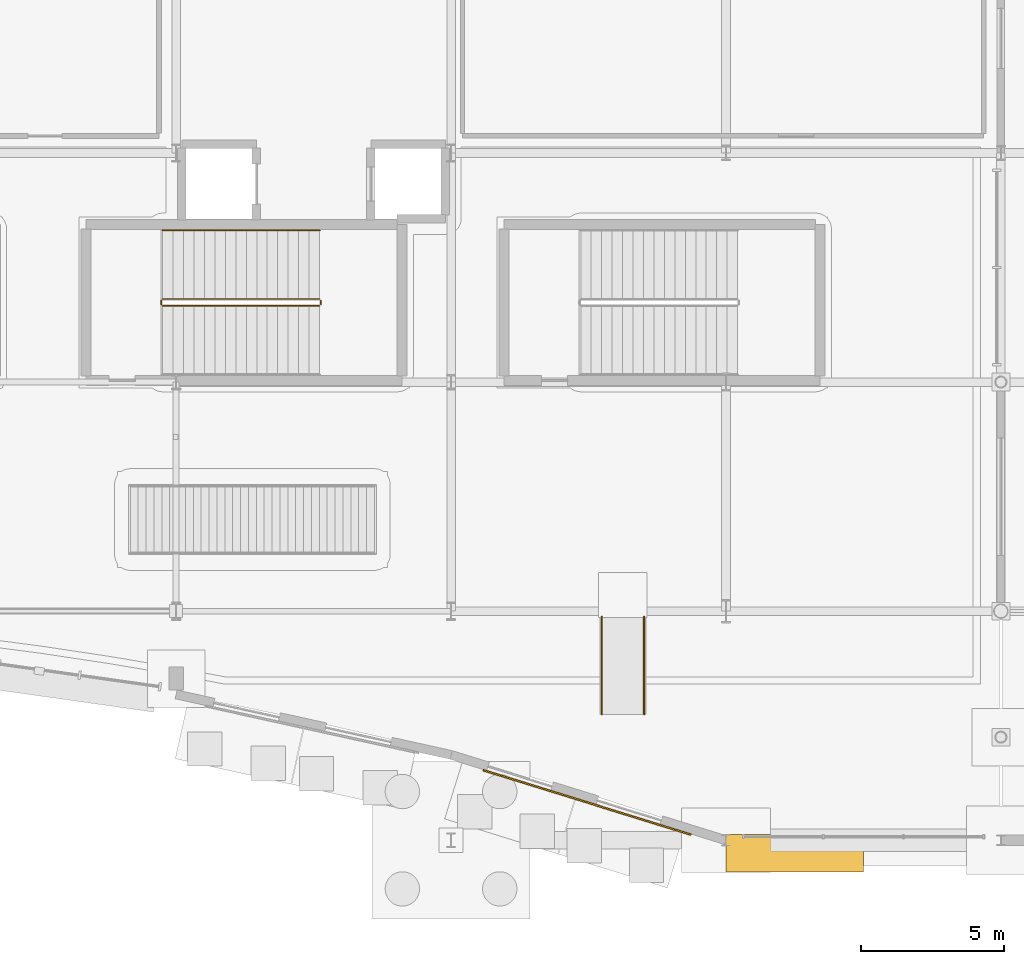
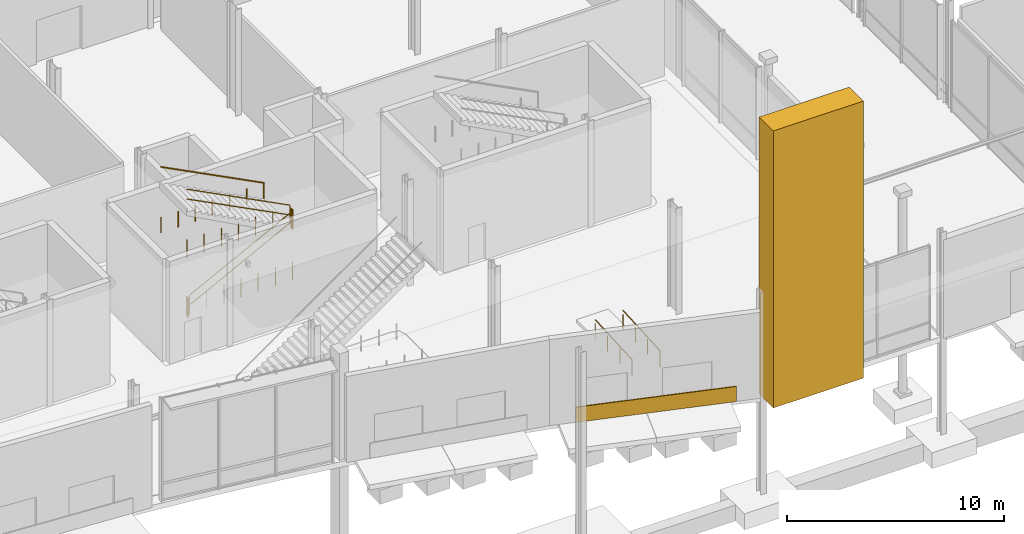
# One storey, part 109 of 124: 7 railings, 2 coverings.
"""IFC4 building model written with IfcOpenShell, lengths in metres."""

import ifcopenshell
import ifcopenshell.guid

model = None  # the IFC model being written
_history = None  # IfcOwnerHistory: only IFC2X3 demands one
_inside = {}  # id of a spatial element -> (the spatial element, [elements in it])
_under = {}  # id of a project, library or spatial element -> (it, [spatial elements below it])
_declared = {}  # id of a project -> (the project, [libraries it declares])
_typed = {}  # id of a type object -> (the type object, [elements of that type])
_made_of = {}  # id of a material, layer set ... -> (it, [elements and type objects made of it])


def new_model(schema):
    """Start an empty IFC model of exactly this schema.

    Asked for "IFC4X3", IfcOpenShell would pick the latest addendum, in which some entities
    have other attributes; the version numbers below select the first issue.
    IFC2X3 requires an IfcOwnerHistory on every rooted entity: one is made here for all.
    """
    global model, _history
    if schema == "IFC4X3":
        model = ifcopenshell.file(schema_version=(4, 3, 0, 0))
    else:
        model = ifcopenshell.file(schema=schema)
    _inside.clear()
    _under.clear()
    _declared.clear()
    _typed.clear()
    _made_of.clear()
    _history = None
    if model.schema == "IFC2X3":
        org = make("IfcOrganization", Name="unknown")
        user = make(
            "IfcPersonAndOrganization",
            ThePerson=make("IfcPerson", FamilyName="unknown"),
            TheOrganization=org,
        )
        app = make(
            "IfcApplication",
            ApplicationDeveloper=org,
            Version="unknown",
            ApplicationFullName="unknown",
            ApplicationIdentifier="unknown",
        )
        _history = make(
            "IfcOwnerHistory",
            OwningUser=user,
            OwningApplication=app,
            ChangeAction="ADDED",
            CreationDate=0,
        )
    return model


def make(cls, **values):
    """One entity of the class cls with the attributes given. An attribute that is None is left unset."""
    return model.create_entity(
        cls, **{name: value for name, value in values.items() if value is not None}
    )


def rooted(cls, **values):
    """An entity with a GlobalId (a new one), such as an element, a storey or a relation."""
    return make(cls, GlobalId=ifcopenshell.guid.new(), OwnerHistory=_history, **values)


def si_unit(unit_type, name, prefix=None):
    """IfcSIUnit, for example si_unit("LENGTHUNIT", "METRE", prefix="MILLI")."""
    return make("IfcSIUnit", UnitType=unit_type, Prefix=prefix, Name=name)


def assignment(units):
    """IfcUnitAssignment: the units of a project."""
    return None if units is None else make("IfcUnitAssignment", Units=units)


def point(xyz):
    """IfcCartesianPoint."""
    return None if xyz is None else make("IfcCartesianPoint", Coordinates=xyz)


def direction(xyz):
    """IfcDirection."""
    return None if xyz is None else make("IfcDirection", DirectionRatios=xyz)


def frame(location, z_axis=None, x_axis=None):
    """IfcAxis2Placement3D, a coordinate frame: its origin and axes. An axis left out is left unset."""
    return make(
        "IfcAxis2Placement3D",
        Location=point(location),
        Axis=direction(z_axis),
        RefDirection=direction(x_axis),
    )


def frame_2d(location, x_axis=None):
    """IfcAxis2Placement2D, a coordinate frame in the plane: its origin and x axis."""
    return make(
        "IfcAxis2Placement2D", Location=point(location), RefDirection=direction(x_axis)
    )


def origin():
    """The frame at (0, 0, 0) with its axes left unset."""
    return frame((0.0, 0.0, 0.0))


def origin_2d():
    """The frame at (0, 0) in the plane with its x axis left unset."""
    return frame_2d((0.0, 0.0))


def place(relative_to, where):
    """IfcLocalPlacement: puts the frame where relative to a parent placement (None: the world)."""
    return make(
        "IfcLocalPlacement", PlacementRelTo=relative_to, RelativePlacement=where
    )


def context(
    kind, dimensions, precision=None, world=None, true_north=None, identifier=None
):
    """IfcGeometricRepresentationContext, for example the 3D "Model" context."""
    return make(
        "IfcGeometricRepresentationContext",
        ContextIdentifier=identifier,
        ContextType=kind,
        CoordinateSpaceDimension=dimensions,
        Precision=precision,
        WorldCoordinateSystem=world,
        TrueNorth=true_north,
    )


def subcontext(parent, identifier, kind, view, scale=None):
    """IfcGeometricRepresentationSubContext, for example "Body" below "Model"."""
    return make(
        "IfcGeometricRepresentationSubContext",
        ContextIdentifier=identifier,
        ContextType=kind,
        ParentContext=parent,
        TargetScale=scale,
        TargetView=view,
    )


def project(units=None, contexts=None):
    """IfcProject with its units and contexts."""
    return rooted(
        "IfcProject",
        Name="project",
        RepresentationContexts=contexts,
        UnitsInContext=assignment(units),
    )


def spatial(cls, under=None, at=None, **own):
    """A site, building, storey or space (cls), placed at a placement, below another one or the project."""
    s = rooted(cls, ObjectPlacement=at, **own)
    if under is not None:
        _under.setdefault(under.id(), (under, []))[1].append(s)
    return s


def profile(cls, at=None, kind="AREA", **sizes):
    """A parametric profile (cls). Its sizes go by their IFC names, for example OverallWidth=200.0."""
    return make(cls, ProfileType=kind, Position=at, **sizes)


def rectangle(**sizes):
    """IfcRectangleProfileDef."""
    return profile("IfcRectangleProfileDef", **sizes)


def circle(**sizes):
    """IfcCircleProfileDef."""
    return profile("IfcCircleProfileDef", **sizes)


def extrude(swept, where, along, depth):
    """IfcExtrudedAreaSolid: the profile swept, set in the frame where, extruded along a direction by depth."""
    return make(
        "IfcExtrudedAreaSolid",
        SweptArea=swept,
        Position=where,
        ExtrudedDirection=direction(along),
        Depth=depth,
    )


def shape(context_of_items, identifier, shape_type, items):
    """IfcShapeRepresentation: the items that make up one representation, for example the "Body"."""
    return make(
        "IfcShapeRepresentation",
        ContextOfItems=context_of_items,
        RepresentationIdentifier=identifier,
        RepresentationType=shape_type,
        Items=items,
    )


def material(Name=None, Category=None):
    """IfcMaterial."""
    return make("IfcMaterial", Name=Name, Category=Category)


def layer(
    of_material, thickness, ventilated=None, Name=None, Category=None, Priority=None
):
    """IfcMaterialLayer: one layer of a wall or slab, of a material (None: an air gap)."""
    return make(
        "IfcMaterialLayer",
        Material=of_material,
        LayerThickness=thickness,
        IsVentilated=ventilated,
        Name=Name,
        Category=Category,
        Priority=Priority,
    )


def layer_set(layers, Name=None):
    """IfcMaterialLayerSet."""
    return make("IfcMaterialLayerSet", MaterialLayers=layers, LayerSetName=Name)


def made_of(thing, what):
    """Note that an element or type object is made of a material, layer set ...; save() writes the relation."""
    if what is not None:
        _made_of.setdefault(what.id(), (what, []))[1].append(thing)
    return thing


def type_object(cls, material=None, **own):
    """A type object (cls), such as IfcWallType, which elements share."""
    return made_of(rooted(cls, **own), material)


def element(
    cls,
    number,
    at=None,
    inside=None,
    cuts=None,
    type_object=None,
    material=None,
    context=None,
    identifier="Body",
    shape_type=None,
    held_by="IfcProductDefinitionShape",
    body=None,
    shapes=None,
    **own,
):
    """One element of the class cls, such as IfcWall. Its Tag is "e" and its number.

    at: its placement. inside: the storey or other place that contains it. cuts: it is an
    opening in that element (IfcRelVoidsElement). A single representation is given by context,
    identifier, shape_type and body (its items); several are given by shapes. held_by: the class
    of the entity that holds the representations. save() writes the other relations.
    """
    e = rooted(cls, Tag="e%d" % number, ObjectPlacement=at, **own)
    if body is not None:
        shapes = [shape(context, identifier, shape_type, body)]
    if shapes is not None:
        e.Representation = make(held_by, Representations=shapes)
    if inside is not None:
        _inside.setdefault(inside.id(), (inside, []))[1].append(e)
    if cuts is not None:
        rooted(
            "IfcRelVoidsElement", RelatingBuildingElement=cuts, RelatedOpeningElement=e
        )
    if type_object is not None:
        _typed.setdefault(type_object.id(), (type_object, []))[1].append(e)
    return made_of(e, material)


def aggregate(whole, parts):
    """IfcRelAggregates: a whole, such as a stair, and the parts it consists of."""
    return rooted("IfcRelAggregates", RelatingObject=whole, RelatedObjects=parts)


def save(model, path):
    """Write the relations noted so far, then the file.

    IfcRelAggregates (storeys below a building ...), IfcRelContainedInSpatialStructure (elements
    in a storey), IfcRelDefinesByType, IfcRelAssociatesMaterial and IfcRelDeclares: one each for
    every whole, place, type object, material and project.
    """
    for whole, parts in _under.values():
        aggregate(whole, parts)
    for where, things in _inside.values():
        rooted(
            "IfcRelContainedInSpatialStructure",
            RelatedElements=things,
            RelatingStructure=where,
        )
    for kind, things in _typed.values():
        rooted("IfcRelDefinesByType", RelatedObjects=things, RelatingType=kind)
    for what, things in _made_of.values():
        rooted("IfcRelAssociatesMaterial", RelatedObjects=things, RelatingMaterial=what)
    for by, libraries in _declared.values():
        rooted("IfcRelDeclares", RelatingContext=by, RelatedDefinitions=libraries)
    model.write(path)


model = new_model("IFC4")

# Units and contexts
model_context = context("Model", 3, precision=1e-05, world=origin(), true_north=direction((0.0, 1.0)))
body_context = subcontext(model_context, "Body", "Model", "MODEL_VIEW")
ifc_project = project(units=[si_unit("LENGTHUNIT", "METRE"), si_unit("AREAUNIT", "SQUARE_METRE"), si_unit("VOLUMEUNIT", "CUBIC_METRE"), si_unit("PLANEANGLEUNIT", "RADIAN"), si_unit("MASSUNIT", "GRAM", prefix="KILO")], contexts=[model_context])

# Site, building, storey
site_placement = place(None, origin())
site = spatial("IfcSite", under=ifc_project, at=site_placement, CompositionType="ELEMENT")
building_placement = place(site_placement, origin())
building = spatial("IfcBuilding", under=site, at=building_placement, Name="Danafjord Basin Convention Centre", CompositionType="ELEMENT")
storey_placement = place(building_placement, origin())
storey = spatial("IfcBuildingStorey", under=building, at=storey_placement, Name="L00", CompositionType="ELEMENT", Elevation=0.0)

# Coverings
ifc_material_1 = material(Name="Architectural white precast concrete C45/55", Category="concrete")
ifc_layer_1 = layer(ifc_material_1, 0.419921875)
ifc_layer_set_1 = layer_set([ifc_layer_1], Name="Architectural white precast concrete C45/55")
covering_type_1 = type_object("IfcCoveringType", Name="COV-ARCH-PORTAL", PredefinedType="CLADDING", material=ifc_layer_set_1)
covering_1_placement = place(storey_placement, frame((108.0, -0.449951171875, 0.0), z_axis=(0.0, 0.0, 1.0), x_axis=(1.0, 0.0, 0.0)))
element("IfcCovering", 1, at=covering_1_placement, inside=storey, type_object=covering_type_1, Name="Main harbourfront entrance portal W banded pier", PredefinedType="CLADDING", context=body_context, shape_type="SweptSolid", body=[
    extrude(rectangle(XDim=4.800048828125, YDim=1.300048828125, at=origin_2d()), origin(), (0.0, 0.0, 1.0), 15.60009765625),
])
ifc_material_2 = material(Name="Board-marked precast concrete rainscreen", Category="concrete")
ifc_layer_2 = layer(ifc_material_2, 0.06005859375)
ifc_layer_set_2 = layer_set([ifc_layer_2], Name="Board-marked precast concrete rainscreen")
covering_type_2 = type_object("IfcCoveringType", Name="COV-CLAD-PC", PredefinedType="CLADDING", material=ifc_layer_set_2)
covering_2_placement = place(storey_placement, frame((100.748046875, 1.322998046875, 0.02490234375), z_axis=(0.0, 0.0, 1.0), x_axis=(0.955044712757, -0.296461796249, 0.0)))
element("IfcCovering", 2, at=covering_2_placement, inside=storey, type_object=covering_type_2, Name="L00 board-marked precast spandrel cladding", PredefinedType="CLADDING", context=body_context, shape_type="SweptSolid", body=[
    extrude(rectangle(XDim=7.60009765625, YDim=0.06005859375, at=origin_2d()), origin(), (0.0, 0.0, 1.0), 0.85009765625),
])

# Railings
ifc_material_3 = material(Name="Galvanised steel S355", Category="steel")
railing_type_1 = type_object("IfcRailingType", Name="RL-GD-WELL", PredefinedType="BALUSTRADE", material=ifc_material_3)
railing_1_placement = place(storey_placement, frame((85.929931640625, 18.659912109375, 0.1875)))
element("IfcRailing", 3, at=railing_1_placement, inside=storey, type_object=railing_type_1, Name="L00 ST-03 stair guard 1", PredefinedType="BALUSTRADE", context=body_context, shape_type="SweptSolid", body=[
    extrude(circle(Radius=0.02392578125, at=origin_2d()), frame((0.0, 0.0, 1.076171875), z_axis=(0.889503409663, 0.0, 0.456928532922), x_axis=(0.0, 1.0, 0.0)), (0.0, 0.0, 1.0), 6.1552734375),
    extrude(circle(Radius=0.02392578125, at=origin_2d()), frame((0.0, 0.0, 0.52587890625), z_axis=(0.889503409663, 0.0, 0.456928532922), x_axis=(0.0, 1.0, 0.0)), (0.0, 0.0, 1.0), 6.1552734375),
    extrude(circle(Radius=0.02099609375, at=origin_2d()), origin(), (0.0, 0.0, 1.0), 1.050048828125),
    extrude(circle(Radius=0.02099609375, at=origin_2d()), frame((0.91259765625, 0.0, 0.0)), (0.0, 0.0, 1.0), 1.050048828125),
    extrude(circle(Radius=0.02099609375, at=origin_2d()), frame((1.824951171875, 0.0, 0.0)), (0.0, 0.0, 1.0), 1.050048828125),
    extrude(circle(Radius=0.02099609375, at=origin_2d()), frame((2.737548828125, 0.0, 0.0)), (0.0, 0.0, 1.0), 1.050048828125),
    extrude(circle(Radius=0.02099609375, at=origin_2d()), frame((3.650146484375, 0.0, 0.0)), (0.0, 0.0, 1.0), 1.050048828125),
    extrude(circle(Radius=0.02099609375, at=origin_2d()), frame((4.5625, 0.0, 0.0)), (0.0, 0.0, 1.0), 1.050048828125),
    extrude(circle(Radius=0.02099609375, at=origin_2d()), frame((5.47509765625, 0.0, 0.0)), (0.0, 0.0, 1.0), 1.050048828125),
])
railing_2_placement = place(storey_placement, frame((91.455078125, 18.7099609375, 3.0)))
element("IfcRailing", 4, at=railing_2_placement, inside=storey, type_object=railing_type_1, Name="L00 ST-03 stair guard 2", PredefinedType="BALUSTRADE", context=body_context, shape_type="SweptSolid", body=[
    extrude(circle(Radius=0.02392578125, at=origin_2d()), frame((0.0, 0.0, 1.076171875), z_axis=(0.0, 1.0, 0.0), x_axis=(-1.0, 0.0, 0.0)), (0.0, 0.0, 1.0), 0.14013671875),
    extrude(circle(Radius=0.02392578125, at=origin_2d()), frame((0.0, 0.0, 0.52587890625), z_axis=(0.0, 1.0, 0.0), x_axis=(-1.0, 0.0, 0.0)), (0.0, 0.0, 1.0), 0.14013671875),
    extrude(circle(Radius=0.02099609375, at=origin_2d()), origin(), (0.0, 0.0, 1.0), 1.050048828125),
    extrude(circle(Radius=0.02099609375, at=origin_2d()), frame((0.0, 0.14013671875, 0.0)), (0.0, 0.0, 1.0), 1.050048828125),
])
railing_3_placement = place(storey_placement, frame((91.405029296875, 18.89990234375, 3.1875)))
element("IfcRailing", 5, at=railing_3_placement, inside=storey, type_object=railing_type_1, Name="L00 ST-03 stair guard 3", PredefinedType="BALUSTRADE", context=body_context, shape_type="SweptSolid", body=[
    extrude(circle(Radius=0.02392578125, at=origin_2d()), frame((0.0, 0.0, 1.076171875), z_axis=(-0.889503409663, 0.0, 0.456928532922), x_axis=(0.0, -1.0, 0.0)), (0.0, 0.0, 1.0), 6.1552734375),
    extrude(circle(Radius=0.02392578125, at=origin_2d()), frame((0.0, 0.0, 0.52587890625), z_axis=(-0.889503409663, 0.0, 0.456928532922), x_axis=(0.0, -1.0, 0.0)), (0.0, 0.0, 1.0), 6.1552734375),
    extrude(circle(Radius=0.02099609375, at=origin_2d()), origin(), (0.0, 0.0, 1.0), 1.050048828125),
    extrude(circle(Radius=0.02099609375, at=origin_2d()), frame((-0.91259765625, 0.0, 0.0)), (0.0, 0.0, 1.0), 1.050048828125),
    extrude(circle(Radius=0.02099609375, at=origin_2d()), frame((-1.824951171875, 0.0, 0.0)), (0.0, 0.0, 1.0), 1.050048828125),
    extrude(circle(Radius=0.02099609375, at=origin_2d()), frame((-2.737548828125, 0.0, 0.0)), (0.0, 0.0, 1.0), 1.050048828125),
    extrude(circle(Radius=0.02099609375, at=origin_2d()), frame((-3.650146484375, 0.0, 0.0)), (0.0, 0.0, 1.0), 1.050048828125),
    extrude(circle(Radius=0.02099609375, at=origin_2d()), frame((-4.5625, 0.0, 0.0)), (0.0, 0.0, 1.0), 1.050048828125),
    extrude(circle(Radius=0.02099609375, at=origin_2d()), frame((-5.47509765625, 0.0, 0.0)), (0.0, 0.0, 1.0), 1.050048828125),
])
railing_4_placement = place(storey_placement, frame((85.8798828125, 18.7099609375, 0.0)))
element("IfcRailing", 6, at=railing_4_placement, inside=storey, type_object=railing_type_1, Name="L00 ST-03 stair guard 4", PredefinedType="BALUSTRADE", context=body_context, shape_type="SweptSolid", body=[
    extrude(circle(Radius=0.02392578125, at=origin_2d()), frame((0.0, 0.0, 1.076171875), z_axis=(0.0, 1.0, 0.0), x_axis=(-1.0, 0.0, 0.0)), (0.0, 0.0, 1.0), 0.14013671875),
    extrude(circle(Radius=0.02392578125, at=origin_2d()), frame((0.0, 0.0, 0.52587890625), z_axis=(0.0, 1.0, 0.0), x_axis=(-1.0, 0.0, 0.0)), (0.0, 0.0, 1.0), 0.14013671875),
    extrude(circle(Radius=0.02099609375, at=origin_2d()), origin(), (0.0, 0.0, 1.0), 1.050048828125),
    extrude(circle(Radius=0.02099609375, at=origin_2d()), frame((0.0, 0.14013671875, 0.0)), (0.0, 0.0, 1.0), 1.050048828125),
])
ifc_material_4 = material(Name="Brushed stainless steel EN 1.4404", Category="steel")
railing_type_2 = type_object("IfcRailingType", Name="RL-HR-STAIR", PredefinedType="HANDRAIL", material=ifc_material_4)
railing_5_placement = place(storey_placement, frame((91.405029296875, 21.300048828125, 3.1875)))
element("IfcRailing", 7, at=railing_5_placement, inside=storey, type_object=railing_type_2, Name="L00 ST-03 stair handrail 2", PredefinedType="HANDRAIL", context=body_context, shape_type="SweptSolid", body=[
    extrude(circle(Radius=0.02392578125, at=origin_2d()), frame((0.0, 0.0, 0.8759765625), z_axis=(-0.889503409663, 0.0, 0.456928532922), x_axis=(0.0, -1.0, 0.0)), (0.0, 0.0, 1.0), 6.1552734375),
    extrude(circle(Radius=0.02099609375, at=origin_2d()), origin(), (0.0, 0.0, 1.0), 0.849853515625),
    extrude(circle(Radius=0.02099609375, at=origin_2d()), frame((-0.91259765625, 0.0, 0.0)), (0.0, 0.0, 1.0), 0.849853515625),
    extrude(circle(Radius=0.02099609375, at=origin_2d()), frame((-1.824951171875, 0.0, 0.0)), (0.0, 0.0, 1.0), 0.849853515625),
    extrude(circle(Radius=0.02099609375, at=origin_2d()), frame((-2.737548828125, 0.0, 0.0)), (0.0, 0.0, 1.0), 0.849853515625),
    extrude(circle(Radius=0.02099609375, at=origin_2d()), frame((-3.650146484375, 0.0, 0.0)), (0.0, 0.0, 1.0), 0.849853515625),
    extrude(circle(Radius=0.02099609375, at=origin_2d()), frame((-4.5625, 0.0, 0.0)), (0.0, 0.0, 1.0), 0.849853515625),
    extrude(circle(Radius=0.02099609375, at=origin_2d()), frame((-5.47509765625, 0.0, 0.0)), (0.0, 0.0, 1.0), 0.849853515625),
])
for number, where, name in (
    (8, (101.260009765625, 4.39990234375, 0.0), "AR-02 handrail L"),
    (9, (102.739990234375, 4.39990234375, 0.0), "AR-02 handrail R"),
):
    element("IfcRailing", number, at=place(storey_placement, frame(where)), inside=storey, type_object=railing_type_2, Name=name, PredefinedType="HANDRAIL", context=body_context, shape_type="SweptSolid", body=[
        extrude(circle(Radius=0.02392578125, at=origin_2d()), frame((0.0, 0.0, 0.89599609375), z_axis=(0.0, 0.998275361711, 0.058705214421), x_axis=(-1.0, 0.0, 0.0)), (0.0, 0.0, 1.0), 3.406005859375),
        extrude(circle(Radius=0.02099609375, at=origin_2d()), origin(), (0.0, 0.0, 1.0), 0.869873046875),
        extrude(circle(Radius=0.02099609375, at=origin_2d()), frame((0.0, 1.13330078125, 0.0)), (0.0, 0.0, 1.0), 0.869873046875),
        extrude(circle(Radius=0.02099609375, at=origin_2d()), frame((0.0, 2.266845703125, 0.0)), (0.0, 0.0, 1.0), 0.869873046875),
        extrude(circle(Radius=0.02099609375, at=origin_2d()), frame((0.0, 3.400146484375, 0.0)), (0.0, 0.0, 1.0), 0.869873046875),
    ])

save(model, "model.ifc")
